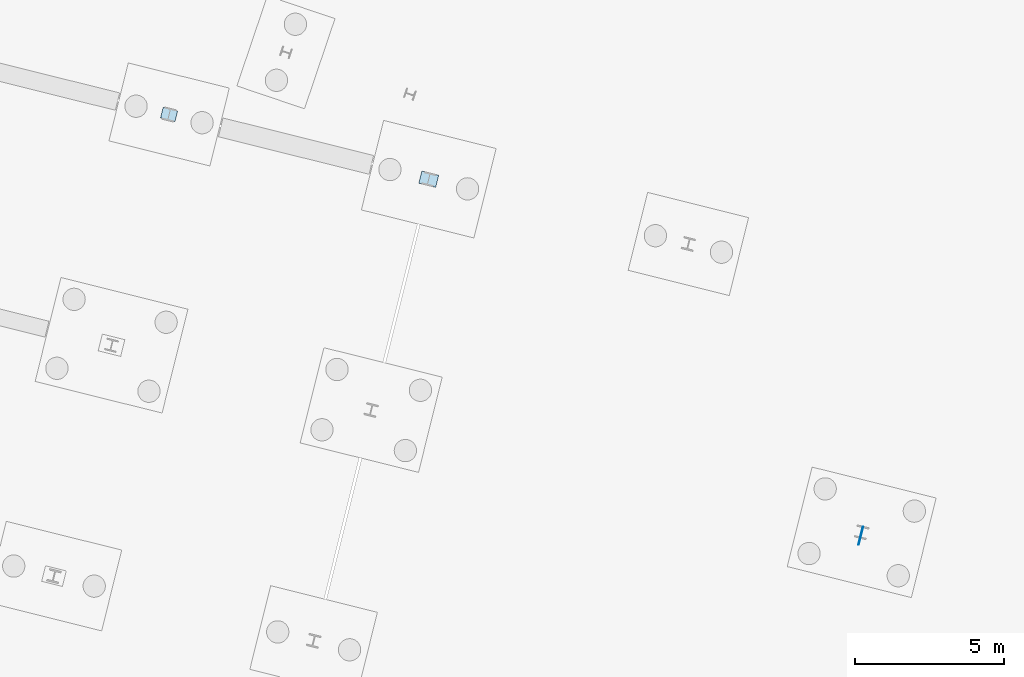
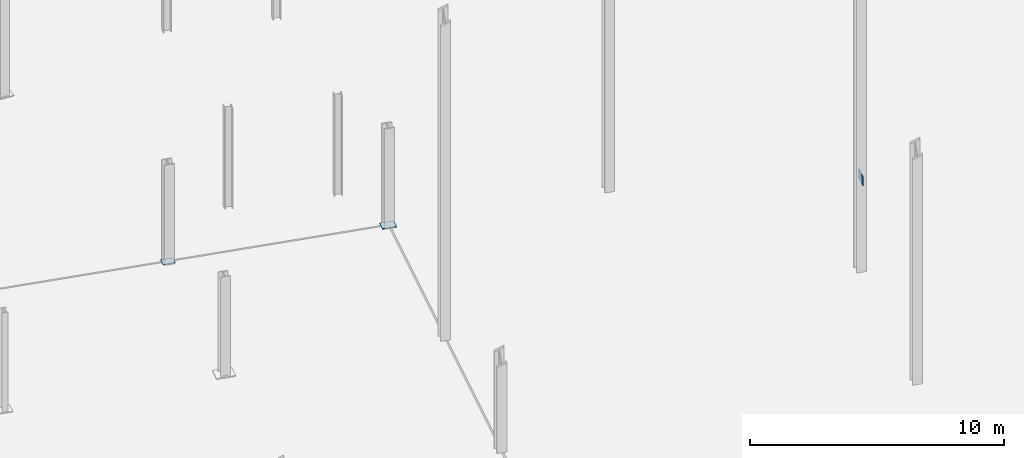
# One storey, part 76 of 108: 3 plates.
"""IFC4 building model written with IfcOpenShell, lengths in metres."""

from ifc_helpers import new_model, si_unit, direction, frame, origin, origin_2d, place, context, subcontext, project, spatial, rectangle, extrude, material, layer, layer_set, type_object, element, save


model = new_model("IFC4")

# Units and contexts
model_context = context("Model", 3, precision=1e-05, world=origin(), true_north=direction((0.0, 1.0)))
body_context = subcontext(model_context, "Body", "Model", "MODEL_VIEW")
ifc_project = project(units=[si_unit("LENGTHUNIT", "METRE"), si_unit("AREAUNIT", "SQUARE_METRE"), si_unit("VOLUMEUNIT", "CUBIC_METRE"), si_unit("PLANEANGLEUNIT", "RADIAN"), si_unit("MASSUNIT", "GRAM", prefix="KILO")], contexts=[model_context])

# Site, building, storey
site_placement = place(None, origin())
site = spatial("IfcSite", under=ifc_project, at=site_placement, CompositionType="ELEMENT")
building_placement = place(site_placement, origin())
building = spatial("IfcBuilding", under=site, at=building_placement, Name="Vireo Bluff Cable Station", CompositionType="ELEMENT")
storey_placement = place(building_placement, origin())
storey = spatial("IfcBuildingStorey", under=building, at=storey_placement, Name="L00", CompositionType="ELEMENT", Elevation=0.0)

# Plates
ifc_material = material(Name="Steel ASTM A572 Gr. 50", Category="steel")
ifc_layer_1 = layer(ifc_material, 0.02587890625, Name="Steel ASTM A572 Gr. 50")
ifc_layer_set_1 = layer_set([ifc_layer_1], Name="Steel ASTM A572 Gr. 50")
plate_type_1 = type_object("IfcPlateType", Name="BASEPLATE-500X360X26", PredefinedType="SHEET", material=ifc_layer_set_1)
plate_1_placement = place(storey_placement, frame((103.469482421875, 50.400634765625, 0.0), z_axis=(0.0, 0.0, 1.0), x_axis=(0.970295726276, -0.2419218956, 0.0)))
element("IfcPlate", 1, at=plate_1_placement, inside=storey, type_object=plate_type_1, Name="V1 column baseplate 24", PredefinedType="SHEET", context=body_context, shape_type="SweptSolid", body=[
    extrude(rectangle(XDim=0.5, YDim=0.360107421875, at=origin_2d()), origin(), (0.0, 0.0, 1.0), 0.02587890625),
])
ifc_layer_2 = layer(ifc_material, 0.033935546875, Name="Steel ASTM A572 Gr. 50")
ifc_layer_set_2 = layer_set([ifc_layer_2], Name="Steel ASTM A572 Gr. 50")
plate_type_2 = type_object("IfcPlateType", Name="BASEPLATE-580X420X34", PredefinedType="SHEET", material=ifc_layer_set_2)
plate_2_placement = place(storey_placement, frame((112.2021484375, 48.223388671875, 0.0), z_axis=(0.0, 0.0, 1.0), x_axis=(0.970295726276, -0.2419218956, 0.0)))
element("IfcPlate", 2, at=plate_2_placement, inside=storey, type_object=plate_type_2, Name="V1 column baseplate 26", PredefinedType="SHEET", context=body_context, shape_type="SweptSolid", body=[
    extrude(rectangle(XDim=0.580078125, YDim=0.419921875, at=origin_2d()), origin(), (0.0, 0.0, 1.0), 0.033935546875),
])
ifc_layer_3 = layer(ifc_material, 0.02490234375, Name="Steel ASTM A572 Gr. 50")
ifc_layer_set_3 = layer_set([ifc_layer_3], Name="Steel ASTM A572 Gr. 50")
plate_type_3 = type_object("IfcPlateType", Name="GUSSET-620X420X25", PredefinedType="USERDEFINED", material=ifc_layer_set_3)
plate_3_placement = place(storey_placement, frame((126.732666015625, 36.23193359375, 4.2900390625), z_axis=(0.0, 0.0, 1.0), x_axis=(0.970295726276, -0.2419218956, 0.0)))
element("IfcPlate", 3, at=plate_3_placement, inside=storey, type_object=plate_type_3, Name="Launch pylon brace end gusset 2", ObjectType="GUSSET PLATE", PredefinedType="USERDEFINED", context=body_context, shape_type="SweptSolid", body=[
    extrude(rectangle(XDim=0.02490234375, YDim=0.6201171875, at=origin_2d()), origin(), (0.0, 0.0, 1.0), 0.419921875),
])

save(model, "model.ifc")
